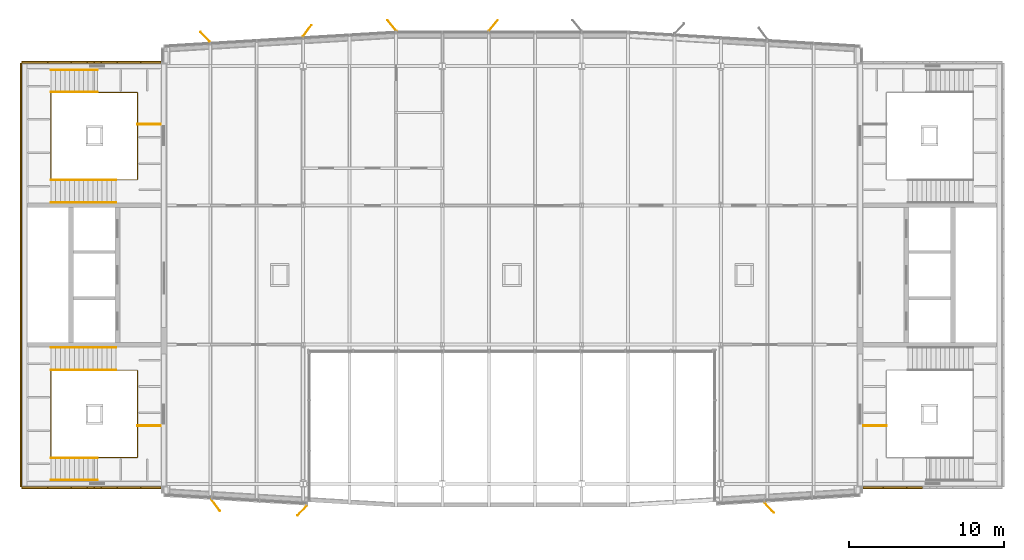
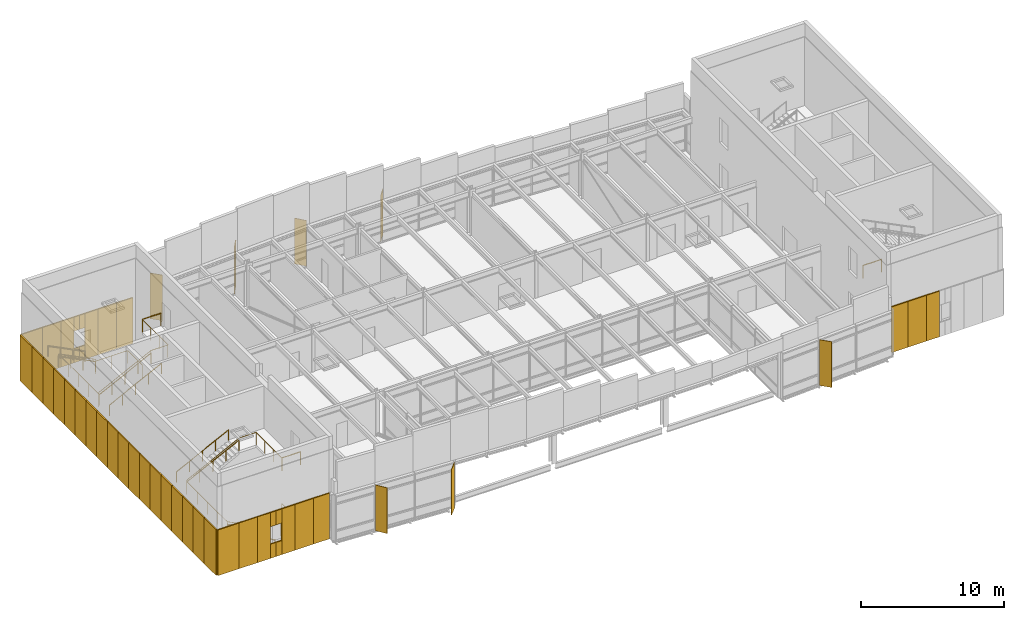
# One storey, part 22 of 23: 41 coverings, 13 railings, 7 shading devices.
"""IFC4 building model written with IfcOpenShell, lengths in metres."""

from ifc_helpers import new_model, si_unit, direction, frame, origin, origin_2d, place, context, subcontext, project, spatial, rectangle, circle, extrude, material, layer, layer_set, type_object, element, save


model = new_model("IFC4")

# Units and contexts
model_context = context("Model", 3, precision=1e-05, world=origin(), true_north=direction((0.0, 1.0)))
body_context = subcontext(model_context, "Body", "Model", "MODEL_VIEW")
ifc_project = project(units=[si_unit("LENGTHUNIT", "METRE"), si_unit("AREAUNIT", "SQUARE_METRE"), si_unit("VOLUMEUNIT", "CUBIC_METRE"), si_unit("PLANEANGLEUNIT", "RADIAN"), si_unit("MASSUNIT", "GRAM", prefix="KILO")], contexts=[model_context])

# Site, building, storey
site_placement = place(None, origin())
site = spatial("IfcSite", under=ifc_project, at=site_placement, CompositionType="ELEMENT")
building_placement = place(site_placement, origin())
building = spatial("IfcBuilding", under=site, at=building_placement, Name="Azimuth Sports and Learning Centre", CompositionType="ELEMENT")
storey_placement = place(building_placement, frame((0.0, 0.0, 75.300048828125)))
storey = spatial("IfcBuildingStorey", under=building, at=storey_placement, Name="L17", CompositionType="ELEMENT", Elevation=75.300048828125)

# Coverings
ifc_material_1 = material(Name="Cladding panel")
ifc_layer_1 = layer(ifc_material_1, 0.10009765625)
ifc_layer_set_1 = layer_set([ifc_layer_1], Name="Cladding panel")
covering_type = type_object("IfcCoveringType", Name="Cladding panel 100", PredefinedType="CLADDING", material=ifc_layer_set_1)
covering_1_placement = place(storey_placement, frame((54.64990234375, 89.75, 0.0), z_axis=(0.0, 0.0, 1.0), x_axis=(1.0, 0.0, 0.0)))
element("IfcCovering", 1, at=covering_1_placement, inside=storey, type_object=covering_type, Name="Cladding panel S-CORE W L17 1", PredefinedType="CLADDING", context=body_context, shape_type="SweptSolid", body=[
    extrude(rectangle(XDim=1.699951171875, YDim=0.10009765625, at=origin_2d()), origin(), (0.0, 0.0, 1.0), 3.89990234375),
])
covering_2_placement = place(storey_placement, frame((56.25, 89.75, 0.0), z_axis=(0.0, 0.0, 1.0), x_axis=(1.0, 0.0, 0.0)))
element("IfcCovering", 2, at=covering_2_placement, inside=storey, type_object=covering_type, Name="Cladding panel S-CORE W L17 2", PredefinedType="CLADDING", context=body_context, shape_type="SweptSolid", body=[
    extrude(rectangle(XDim=1.5, YDim=0.10009765625, at=origin_2d()), origin(), (0.0, 0.0, 1.0), 3.89990234375),
])
covering_3_placement = place(storey_placement, frame((57.52490234375, 89.75, 0.0), z_axis=(0.0, 0.0, 1.0), x_axis=(1.0, 0.0, 0.0)))
element("IfcCovering", 3, at=covering_3_placement, inside=storey, type_object=covering_type, Name="Cladding panel S-CORE W L17 3", PredefinedType="CLADDING", context=body_context, shape_type="SweptSolid", body=[
    extrude(rectangle(XDim=1.050048828125, YDim=0.10009765625, at=origin_2d()), origin(), (0.0, 0.0, 1.0), 3.89990234375),
])
for number, where, z_axis, x_axis, name in (
    (4, (58.27490234375, 89.75, 0.0), (0.0, 0.0, 1.0), (1.0, 0.0, 0.0), "Cladding panel S-CORE W L17 4"),
    (5, (58.27490234375, 89.75, 2.7001953125), (0.0, 0.0, 1.0), (1.0, 0.0, 0.0), "Cladding panel S-CORE W L17 5"),
):
    element("IfcCovering", number, at=place(storey_placement, frame(where, z_axis=z_axis, x_axis=x_axis)), inside=storey, type_object=covering_type, Name=name, PredefinedType="CLADDING", context=body_context, shape_type="SweptSolid", body=[
        extrude(rectangle(XDim=0.449951171875, YDim=0.10009765625, at=origin_2d()), origin(), (0.0, 0.0, 1.0), 1.199951171875),
    ])
covering_4_placement = place(storey_placement, frame((59.47509765625, 89.75, 0.0), z_axis=(0.0, 0.0, 1.0), x_axis=(1.0, 0.0, 0.0)))
element("IfcCovering", 6, at=covering_4_placement, inside=storey, type_object=covering_type, Name="Cladding panel S-CORE W L17 6", PredefinedType="CLADDING", context=body_context, shape_type="SweptSolid", body=[
    extrude(rectangle(XDim=1.050048828125, YDim=0.10009765625, at=origin_2d()), origin(), (0.0, 0.0, 1.0), 3.89990234375),
])
for number, where, z_axis, x_axis, name in (
    (7, (58.72509765625, 89.75, 0.0), (0.0, 0.0, 1.0), (1.0, 0.0, 0.0), "Cladding panel S-CORE W L17 7"),
    (8, (58.72509765625, 89.75, 2.7001953125), (0.0, 0.0, 1.0), (1.0, 0.0, 0.0), "Cladding panel S-CORE W L17 8"),
):
    element("IfcCovering", number, at=place(storey_placement, frame(where, z_axis=z_axis, x_axis=x_axis)), inside=storey, type_object=covering_type, Name=name, PredefinedType="CLADDING", context=body_context, shape_type="SweptSolid", body=[
        extrude(rectangle(XDim=0.449951171875, YDim=0.10009765625, at=origin_2d()), origin(), (0.0, 0.0, 1.0), 1.199951171875),
    ])
covering_5_placement = place(storey_placement, frame((60.75, 89.75, 0.0), z_axis=(0.0, 0.0, 1.0), x_axis=(1.0, 0.0, 0.0)))
element("IfcCovering", 9, at=covering_5_placement, inside=storey, type_object=covering_type, Name="Cladding panel S-CORE W L17 9", PredefinedType="CLADDING", context=body_context, shape_type="SweptSolid", body=[
    extrude(rectangle(XDim=1.5, YDim=0.10009765625, at=origin_2d()), origin(), (0.0, 0.0, 1.0), 3.89990234375),
])
for number, where, z_axis, x_axis, name in (
    (10, (62.159912109375, 89.75, 0.0), (0.0, 0.0, 1.0), (1.0, 0.0, 0.0), "Cladding panel S-CORE W L17 10"),
    (11, (108.840087890625, 89.75, 0.0), (0.0, 0.0, 1.0), (1.0, 0.0, 0.0), "Cladding panel S-CORE E L17 1"),
):
    element("IfcCovering", number, at=place(storey_placement, frame(where, z_axis=z_axis, x_axis=x_axis)), inside=storey, type_object=covering_type, Name=name, PredefinedType="CLADDING", context=body_context, shape_type="SweptSolid", body=[
        extrude(rectangle(XDim=1.320068359375, YDim=0.10009765625, at=origin_2d()), origin(), (0.0, 0.0, 1.0), 3.89990234375),
    ])
covering_6_placement = place(storey_placement, frame((110.25, 89.75, 0.0), z_axis=(0.0, 0.0, 1.0), x_axis=(1.0, 0.0, 0.0)))
element("IfcCovering", 12, at=covering_6_placement, inside=storey, type_object=covering_type, Name="Cladding panel S-CORE E L17 2", PredefinedType="CLADDING", context=body_context, shape_type="SweptSolid", body=[
    extrude(rectangle(XDim=1.5, YDim=0.10009765625, at=origin_2d()), origin(), (0.0, 0.0, 1.0), 3.89990234375),
])
covering_7_placement = place(storey_placement, frame((111.52490234375, 89.75, 0.0), z_axis=(0.0, 0.0, 1.0), x_axis=(1.0, 0.0, 0.0)))
element("IfcCovering", 13, at=covering_7_placement, inside=storey, type_object=covering_type, Name="Cladding panel S-CORE E L17 3", PredefinedType="CLADDING", context=body_context, shape_type="SweptSolid", body=[
    extrude(rectangle(XDim=1.050048828125, YDim=0.10009765625, at=origin_2d()), origin(), (0.0, 0.0, 1.0), 3.89990234375),
])
covering_8_placement = place(storey_placement, frame((62.159912109375, 117.25, 0.0), z_axis=(0.0, 0.0, 1.0), x_axis=(-1.0, 0.0, 0.0)))
element("IfcCovering", 14, at=covering_8_placement, inside=storey, type_object=covering_type, Name="Cladding panel N-CORE W L17 1", PredefinedType="CLADDING", context=body_context, shape_type="SweptSolid", body=[
    extrude(rectangle(XDim=1.320068359375, YDim=0.10009765625, at=origin_2d()), origin(), (0.0, 0.0, 1.0), 3.89990234375),
])
covering_9_placement = place(storey_placement, frame((60.75, 117.25, 0.0), z_axis=(0.0, 0.0, 1.0), x_axis=(-1.0, 0.0, 0.0)))
element("IfcCovering", 15, at=covering_9_placement, inside=storey, type_object=covering_type, Name="Cladding panel N-CORE W L17 2", PredefinedType="CLADDING", context=body_context, shape_type="SweptSolid", body=[
    extrude(rectangle(XDim=1.5, YDim=0.10009765625, at=origin_2d()), origin(), (0.0, 0.0, 1.0), 3.89990234375),
])
covering_10_placement = place(storey_placement, frame((59.47509765625, 117.25, 0.0), z_axis=(0.0, 0.0, 1.0), x_axis=(-1.0, 0.0, 0.0)))
element("IfcCovering", 16, at=covering_10_placement, inside=storey, type_object=covering_type, Name="Cladding panel N-CORE W L17 3", PredefinedType="CLADDING", context=body_context, shape_type="SweptSolid", body=[
    extrude(rectangle(XDim=1.050048828125, YDim=0.10009765625, at=origin_2d()), origin(), (0.0, 0.0, 1.0), 3.89990234375),
])
for number, where, z_axis, x_axis, name in (
    (17, (58.72509765625, 117.25, 0.0), (0.0, 0.0, 1.0), (-1.0, 0.0, 0.0), "Cladding panel N-CORE W L17 4"),
    (18, (58.72509765625, 117.25, 2.7001953125), (0.0, 0.0, 1.0), (-1.0, 0.0, 0.0), "Cladding panel N-CORE W L17 5"),
):
    element("IfcCovering", number, at=place(storey_placement, frame(where, z_axis=z_axis, x_axis=x_axis)), inside=storey, type_object=covering_type, Name=name, PredefinedType="CLADDING", context=body_context, shape_type="SweptSolid", body=[
        extrude(rectangle(XDim=0.449951171875, YDim=0.10009765625, at=origin_2d()), origin(), (0.0, 0.0, 1.0), 1.199951171875),
    ])
covering_11_placement = place(storey_placement, frame((57.52490234375, 117.25, 0.0), z_axis=(0.0, 0.0, 1.0), x_axis=(-1.0, 0.0, 0.0)))
element("IfcCovering", 19, at=covering_11_placement, inside=storey, type_object=covering_type, Name="Cladding panel N-CORE W L17 6", PredefinedType="CLADDING", context=body_context, shape_type="SweptSolid", body=[
    extrude(rectangle(XDim=1.050048828125, YDim=0.10009765625, at=origin_2d()), origin(), (0.0, 0.0, 1.0), 3.89990234375),
])
for number, where, z_axis, x_axis, name in (
    (20, (58.27490234375, 117.25, 0.0), (0.0, 0.0, 1.0), (-1.0, 0.0, 0.0), "Cladding panel N-CORE W L17 7"),
    (21, (58.27490234375, 117.25, 2.7001953125), (0.0, 0.0, 1.0), (-1.0, 0.0, 0.0), "Cladding panel N-CORE W L17 8"),
):
    element("IfcCovering", number, at=place(storey_placement, frame(where, z_axis=z_axis, x_axis=x_axis)), inside=storey, type_object=covering_type, Name=name, PredefinedType="CLADDING", context=body_context, shape_type="SweptSolid", body=[
        extrude(rectangle(XDim=0.449951171875, YDim=0.10009765625, at=origin_2d()), origin(), (0.0, 0.0, 1.0), 1.199951171875),
    ])
covering_12_placement = place(storey_placement, frame((56.25, 117.25, 0.0), z_axis=(0.0, 0.0, 1.0), x_axis=(-1.0, 0.0, 0.0)))
element("IfcCovering", 22, at=covering_12_placement, inside=storey, type_object=covering_type, Name="Cladding panel N-CORE W L17 9", PredefinedType="CLADDING", context=body_context, shape_type="SweptSolid", body=[
    extrude(rectangle(XDim=1.5, YDim=0.10009765625, at=origin_2d()), origin(), (0.0, 0.0, 1.0), 3.89990234375),
])
for number, where, z_axis, x_axis, name in (
    (23, (54.64990234375, 117.25, 0.0), (0.0, 0.0, 1.0), (-1.0, 0.0, 0.0), "Cladding panel N-CORE W L17 10"),
    (24, (53.75, 116.35009765625, 0.0), (0.0, 0.0, 1.0), (0.0, -1.0, 0.0), "Cladding panel W-CORE W L17 1"),
):
    element("IfcCovering", number, at=place(storey_placement, frame(where, z_axis=z_axis, x_axis=x_axis)), inside=storey, type_object=covering_type, Name=name, PredefinedType="CLADDING", context=body_context, shape_type="SweptSolid", body=[
        extrude(rectangle(XDim=1.699951171875, YDim=0.10009765625, at=origin_2d()), origin(), (0.0, 0.0, 1.0), 3.89990234375),
    ])
for number, where, z_axis, x_axis, name in (
    (25, (53.75, 114.75, 0.0), (0.0, 0.0, 1.0), (0.0, -1.0, 0.0), "Cladding panel W-CORE W L17 2"),
    (26, (53.75, 113.25, 0.0), (0.0, 0.0, 1.0), (0.0, -1.0, 0.0), "Cladding panel W-CORE W L17 3"),
    (27, (53.75, 111.75, 0.0), (0.0, 0.0, 1.0), (0.0, -1.0, 0.0), "Cladding panel W-CORE W L17 4"),
    (28, (53.75, 110.25, 0.0), (0.0, 0.0, 1.0), (0.0, -1.0, 0.0), "Cladding panel W-CORE W L17 5"),
    (29, (53.75, 108.75, 0.0), (0.0, 0.0, 1.0), (0.0, -1.0, 0.0), "Cladding panel W-CORE W L17 6"),
    (30, (53.75, 107.25, 0.0), (0.0, 0.0, 1.0), (0.0, -1.0, 0.0), "Cladding panel W-CORE W L17 7"),
    (31, (53.75, 105.75, 0.0), (0.0, 0.0, 1.0), (0.0, -1.0, 0.0), "Cladding panel W-CORE W L17 8"),
    (32, (53.75, 104.25, 0.0), (0.0, 0.0, 1.0), (0.0, -1.0, 0.0), "Cladding panel W-CORE W L17 9"),
    (33, (53.75, 102.75, 0.0), (0.0, 0.0, 1.0), (0.0, -1.0, 0.0), "Cladding panel W-CORE W L17 10"),
    (34, (53.75, 101.25, 0.0), (0.0, 0.0, 1.0), (0.0, -1.0, 0.0), "Cladding panel W-CORE W L17 11"),
    (35, (53.75, 99.75, 0.0), (0.0, 0.0, 1.0), (0.0, -1.0, 0.0), "Cladding panel W-CORE W L17 12"),
    (36, (53.75, 98.25, 0.0), (0.0, 0.0, 1.0), (0.0, -1.0, 0.0), "Cladding panel W-CORE W L17 13"),
    (37, (53.75, 96.75, 0.0), (0.0, 0.0, 1.0), (0.0, -1.0, 0.0), "Cladding panel W-CORE W L17 14"),
    (38, (53.75, 95.25, 0.0), (0.0, 0.0, 1.0), (0.0, -1.0, 0.0), "Cladding panel W-CORE W L17 15"),
    (39, (53.75, 93.75, 0.0), (0.0, 0.0, 1.0), (0.0, -1.0, 0.0), "Cladding panel W-CORE W L17 16"),
    (40, (53.75, 92.25, 0.0), (0.0, 0.0, 1.0), (0.0, -1.0, 0.0), "Cladding panel W-CORE W L17 17"),
):
    element("IfcCovering", number, at=place(storey_placement, frame(where, z_axis=z_axis, x_axis=x_axis)), inside=storey, type_object=covering_type, Name=name, PredefinedType="CLADDING", context=body_context, shape_type="SweptSolid", body=[
        extrude(rectangle(XDim=1.5, YDim=0.10009765625, at=origin_2d()), origin(), (0.0, 0.0, 1.0), 3.89990234375),
    ])
covering_13_placement = place(storey_placement, frame((53.75, 90.64990234375, 0.0), z_axis=(0.0, 0.0, 1.0), x_axis=(0.0, -1.0, 0.0)))
element("IfcCovering", 41, at=covering_13_placement, inside=storey, type_object=covering_type, Name="Cladding panel W-CORE W L17 18", PredefinedType="CLADDING", context=body_context, shape_type="SweptSolid", body=[
    extrude(rectangle(XDim=1.699951171875, YDim=0.10009765625, at=origin_2d()), origin(), (0.0, 0.0, 1.0), 3.89990234375),
])

# Shading devices
ifc_material_2 = material(Name="Aluminium", Category="aluminium")
ifc_layer_2 = layer(ifc_material_2, 0.0400390625)
ifc_layer_set_2 = layer_set([ifc_layer_2], Name="Aluminium")
shading_device_type = type_object("IfcShadingDeviceType", Name="Shading fin 900", PredefinedType="JALOUSIE", material=ifc_layer_set_2)
for number, where, z_axis, x_axis, name in (
    (42, (66.353759765625, 88.613037109375, 0.0), (0.0, 0.0, 1.0), (0.595753790608, -0.803167118958, 0.0), "Shading fin F17-001"),
    (43, (71.94140625, 88.27783203125, 0.0), (0.0, 0.0, 1.0), (-0.687513645637, -0.726171458447, 0.0), "Shading fin F17-002"),
    (44, (102.123779296875, 88.461669921875, 0.0), (0.0, 0.0, 1.0), (0.687513645637, -0.726171458447, 0.0), "Shading fin F17-003"),
    (45, (84.289306640625, 119.624755859375, 0.0), (0.0, 0.0, 1.0), (0.642787609687, 0.766044443119, 0.0), "Shading fin F17-007"),
    (46, (77.74072265625, 119.624755859375, 0.0), (0.0, 0.0, 1.0), (-0.642787609687, 0.766044443119, 0.0), "Shading fin F17-008"),
    (47, (72.25732421875, 119.281005859375, 0.0), (0.0, 0.0, 1.0), (0.595753790608, 0.803167118958, 0.0), "Shading fin F17-009"),
    (48, (65.679931640625, 118.886474609375, 0.0), (0.0, 0.0, 1.0), (-0.687513645637, 0.726171458447, 0.0), "Shading fin F17-010"),
):
    element("IfcShadingDevice", number, at=place(storey_placement, frame(where, z_axis=z_axis, x_axis=x_axis)), inside=storey, type_object=shading_device_type, Name=name, PredefinedType="JALOUSIE", context=body_context, shape_type="SweptSolid", body=[
        extrude(rectangle(XDim=0.89990234375, YDim=0.0400390625, at=origin_2d()), origin(), (0.0, 0.0, 1.0), 3.89990234375),
    ])

# Railings
ifc_material_3 = material(Name="Stainless steel", Category="steel")
railing_type_1 = type_object("IfcRailingType", Name="Stair guard 1100", PredefinedType="GUARDRAIL", material=ifc_material_3)
railing_1_placement = place(storey_placement, frame((61.2900390625, 93.75, 0.0)))
element("IfcRailing", 49, at=railing_1_placement, inside=storey, type_object=railing_type_1, Name="Guard W1 L17 well", PredefinedType="GUARDRAIL", context=body_context, shape_type="SweptSolid", body=[
    extrude(circle(Radius=0.02392578125, at=origin_2d()), frame((0.0, 0.0, 1.076171875), z_axis=(0.0, -1.0, 0.0), x_axis=(1.0, 0.0, 0.0)), (0.0, 0.0, 1.0), 2.0400390625),
    extrude(circle(Radius=0.02392578125, at=origin_2d()), frame((0.0, -2.0400390625, 1.076171875), z_axis=(-1.0, 0.0, 0.0), x_axis=(0.0, -1.0, 0.0)), (0.0, 0.0, 1.0), 2.580078125),
    extrude(circle(Radius=0.02392578125, at=origin_2d()), frame((-2.580078125, -2.0400390625, 1.076171875), z_axis=(0.0, 0.0, 1.0), x_axis=(1.0, 0.0, 0.0)), (0.0, 0.0, 1.0), 0.14990234375),
    extrude(circle(Radius=0.02392578125, at=origin_2d()), frame((-2.580078125, -2.0400390625, 1.22607421875), z_axis=(-0.894427191, 0.0, 0.4472135955), x_axis=(0.0, -1.0, 0.0)), (0.0, 0.0, 1.0), 3.35400390625),
    extrude(circle(Radius=0.02392578125, at=origin_2d()), frame((-5.580078125, -2.0400390625, 2.72607421875), z_axis=(0.0, 1.0, 0.0), x_axis=(-1.0, 0.0, 0.0)), (0.0, 0.0, 1.0), 5.630126953125),
    extrude(circle(Radius=0.02392578125, at=origin_2d()), frame((-5.580078125, 3.590087890625, 2.72607421875), z_axis=(0.0, 0.0, 1.0), x_axis=(1.0, 0.0, 0.0)), (0.0, 0.0, 1.0), 0.150146484375),
    extrude(circle(Radius=0.02392578125, at=origin_2d()), frame((-5.580078125, 3.590087890625, 2.8759765625), z_axis=(0.894437589381, 0.0, 0.447192798132), x_axis=(0.0, 1.0, 0.0)), (0.0, 0.0, 1.0), 4.695556640625),
    extrude(circle(Radius=0.02392578125, at=origin_2d()), frame((-1.380126953125, 3.590087890625, 4.97607421875), z_axis=(1.0, 0.0, 0.0), x_axis=(0.0, 1.0, 0.0)), (0.0, 0.0, 1.0), 1.380126953125),
    extrude(circle(Radius=0.02392578125, at=origin_2d()), frame((0.0, 3.590087890625, 4.97607421875), z_axis=(0.0, -1.0, 0.0), x_axis=(1.0, 0.0, 0.0)), (0.0, 0.0, 1.0), 3.590087890625),
    extrude(circle(Radius=0.01611328125, at=origin_2d()), origin(), (0.0, 0.0, 1.0), 1.052001953125),
    extrude(circle(Radius=0.01611328125, at=origin_2d()), frame((0.0, -1.02001953125, 0.0)), (0.0, 0.0, 1.0), 1.052001953125),
    extrude(circle(Radius=0.01611328125, at=origin_2d()), frame((0.0, -2.0400390625, 0.0)), (0.0, 0.0, 1.0), 1.052001953125),
    extrude(circle(Radius=0.01611328125, at=origin_2d()), frame((-1.2900390625, -2.0400390625, 0.0)), (0.0, 0.0, 1.0), 1.052001953125),
    extrude(circle(Radius=0.01611328125, at=origin_2d()), frame((-2.580078125, -2.0400390625, 0.0)), (0.0, 0.0, 1.0), 1.052001953125),
    extrude(circle(Radius=0.01611328125, at=origin_2d()), frame((-2.580078125, -2.0400390625, 0.14990234375)), (0.0, 0.0, 1.0), 1.052001953125),
    extrude(circle(Radius=0.01611328125, at=origin_2d()), frame((-3.580078125, -2.0400390625, 0.64990234375)), (0.0, 0.0, 1.0), 1.052001953125),
    extrude(circle(Radius=0.01611328125, at=origin_2d()), frame((-4.580078125, -2.0400390625, 1.14990234375)), (0.0, 0.0, 1.0), 1.052001953125),
    extrude(circle(Radius=0.01611328125, at=origin_2d()), frame((-5.580078125, -2.0400390625, 1.64990234375)), (0.0, 0.0, 1.0), 1.052001953125),
    extrude(circle(Radius=0.01611328125, at=origin_2d()), frame((-5.580078125, -0.632568359375, 1.64990234375)), (0.0, 0.0, 1.0), 1.052001953125),
    extrude(circle(Radius=0.01611328125, at=origin_2d()), frame((-5.580078125, 0.77490234375, 1.64990234375)), (0.0, 0.0, 1.0), 1.052001953125),
    extrude(circle(Radius=0.01611328125, at=origin_2d()), frame((-5.580078125, 2.1826171875, 1.64990234375)), (0.0, 0.0, 1.0), 1.052001953125),
    extrude(circle(Radius=0.01611328125, at=origin_2d()), frame((-5.580078125, 3.590087890625, 1.64990234375)), (0.0, 0.0, 1.0), 1.052001953125),
    extrude(circle(Radius=0.01611328125, at=origin_2d()), frame((-5.580078125, 3.590087890625, 1.800048828125)), (0.0, 0.0, 1.0), 1.052001953125),
    extrude(circle(Radius=0.01611328125, at=origin_2d()), frame((-4.530029296875, 3.590087890625, 2.324951171875)), (0.0, 0.0, 1.0), 1.052001953125),
    extrude(circle(Radius=0.01611328125, at=origin_2d()), frame((-3.47998046875, 3.590087890625, 2.85009765625)), (0.0, 0.0, 1.0), 1.052001953125),
    extrude(circle(Radius=0.01611328125, at=origin_2d()), frame((-2.43017578125, 3.590087890625, 3.375)), (0.0, 0.0, 1.0), 1.052001953125),
    extrude(circle(Radius=0.01611328125, at=origin_2d()), frame((-1.380126953125, 3.590087890625, 3.89990234375)), (0.0, 0.0, 1.0), 1.052001953125),
    extrude(circle(Radius=0.01611328125, at=origin_2d()), frame((0.0, 3.590087890625, 3.89990234375)), (0.0, 0.0, 1.0), 1.052001953125),
    extrude(circle(Radius=0.01611328125, at=origin_2d()), frame((0.0, 2.393310546875, 3.89990234375)), (0.0, 0.0, 1.0), 1.052001953125),
    extrude(circle(Radius=0.01611328125, at=origin_2d()), frame((0.0, 1.19677734375, 3.89990234375)), (0.0, 0.0, 1.0), 1.052001953125),
    extrude(circle(Radius=0.01611328125, at=origin_2d()), frame((0.0, 0.0, 3.89990234375)), (0.0, 0.0, 1.0), 1.052001953125),
])
railing_2_placement = place(storey_placement, frame((62.7900390625, 93.75, 3.89990234375)))
element("IfcRailing", 50, at=railing_2_placement, inside=storey, type_object=railing_type_1, Name="Guard W1 L17 top landing end", PredefinedType="GUARDRAIL", context=body_context, shape_type="SweptSolid", body=[
    extrude(circle(Radius=0.02392578125, at=origin_2d()), frame((0.0, 0.0, 1.076171875), z_axis=(-1.0, 0.0, 0.0), x_axis=(0.0, -1.0, 0.0)), (0.0, 0.0, 1.0), 1.5),
    extrude(circle(Radius=0.01611328125, at=origin_2d()), origin(), (0.0, 0.0, 1.0), 1.052001953125),
    extrude(circle(Radius=0.01611328125, at=origin_2d()), frame((-1.5, 0.0, 0.0)), (0.0, 0.0, 1.0), 1.052001953125),
])
railing_3_placement = place(storey_placement, frame((61.2900390625, 113.25, 0.0)))
element("IfcRailing", 51, at=railing_3_placement, inside=storey, type_object=railing_type_1, Name="Guard W2 L17 well", PredefinedType="GUARDRAIL", context=body_context, shape_type="SweptSolid", body=[
    extrude(circle(Radius=0.02392578125, at=origin_2d()), frame((0.0, 0.0, 1.076171875), z_axis=(0.0, 1.0, 0.0), x_axis=(-1.0, 0.0, 0.0)), (0.0, 0.0, 1.0), 2.0400390625),
    extrude(circle(Radius=0.02392578125, at=origin_2d()), frame((0.0, 2.0400390625, 1.076171875), z_axis=(-1.0, 0.0, 0.0), x_axis=(0.0, -1.0, 0.0)), (0.0, 0.0, 1.0), 2.580078125),
    extrude(circle(Radius=0.02392578125, at=origin_2d()), frame((-2.580078125, 2.0400390625, 1.076171875), z_axis=(0.0, 0.0, 1.0), x_axis=(1.0, 0.0, 0.0)), (0.0, 0.0, 1.0), 0.14990234375),
    extrude(circle(Radius=0.02392578125, at=origin_2d()), frame((-2.580078125, 2.0400390625, 1.22607421875), z_axis=(-0.894427191, 0.0, 0.4472135955), x_axis=(0.0, -1.0, 0.0)), (0.0, 0.0, 1.0), 3.35400390625),
    extrude(circle(Radius=0.02392578125, at=origin_2d()), frame((-5.580078125, 2.0400390625, 2.72607421875), z_axis=(0.0, -1.0, 0.0), x_axis=(1.0, 0.0, 0.0)), (0.0, 0.0, 1.0), 5.630126953125),
    extrude(circle(Radius=0.02392578125, at=origin_2d()), frame((-5.580078125, -3.590087890625, 2.72607421875), z_axis=(0.0, 0.0, 1.0), x_axis=(1.0, 0.0, 0.0)), (0.0, 0.0, 1.0), 0.150146484375),
    extrude(circle(Radius=0.02392578125, at=origin_2d()), frame((-5.580078125, -3.590087890625, 2.8759765625), z_axis=(0.894437589381, 0.0, 0.447192798132), x_axis=(0.0, 1.0, 0.0)), (0.0, 0.0, 1.0), 4.695556640625),
    extrude(circle(Radius=0.02392578125, at=origin_2d()), frame((-1.380126953125, -3.590087890625, 4.97607421875), z_axis=(1.0, 0.0, 0.0), x_axis=(0.0, 1.0, 0.0)), (0.0, 0.0, 1.0), 1.380126953125),
    extrude(circle(Radius=0.02392578125, at=origin_2d()), frame((0.0, -3.590087890625, 4.97607421875), z_axis=(0.0, 1.0, 0.0), x_axis=(-1.0, 0.0, 0.0)), (0.0, 0.0, 1.0), 3.590087890625),
    extrude(circle(Radius=0.01611328125, at=origin_2d()), origin(), (0.0, 0.0, 1.0), 1.052001953125),
    extrude(circle(Radius=0.01611328125, at=origin_2d()), frame((0.0, 1.02001953125, 0.0)), (0.0, 0.0, 1.0), 1.052001953125),
    extrude(circle(Radius=0.01611328125, at=origin_2d()), frame((0.0, 2.0400390625, 0.0)), (0.0, 0.0, 1.0), 1.052001953125),
    extrude(circle(Radius=0.01611328125, at=origin_2d()), frame((-1.2900390625, 2.0400390625, 0.0)), (0.0, 0.0, 1.0), 1.052001953125),
    extrude(circle(Radius=0.01611328125, at=origin_2d()), frame((-2.580078125, 2.0400390625, 0.0)), (0.0, 0.0, 1.0), 1.052001953125),
    extrude(circle(Radius=0.01611328125, at=origin_2d()), frame((-2.580078125, 2.0400390625, 0.14990234375)), (0.0, 0.0, 1.0), 1.052001953125),
    extrude(circle(Radius=0.01611328125, at=origin_2d()), frame((-3.580078125, 2.0400390625, 0.64990234375)), (0.0, 0.0, 1.0), 1.052001953125),
    extrude(circle(Radius=0.01611328125, at=origin_2d()), frame((-4.580078125, 2.0400390625, 1.14990234375)), (0.0, 0.0, 1.0), 1.052001953125),
    extrude(circle(Radius=0.01611328125, at=origin_2d()), frame((-5.580078125, 2.0400390625, 1.64990234375)), (0.0, 0.0, 1.0), 1.052001953125),
    extrude(circle(Radius=0.01611328125, at=origin_2d()), frame((-5.580078125, 0.632568359375, 1.64990234375)), (0.0, 0.0, 1.0), 1.052001953125),
    extrude(circle(Radius=0.01611328125, at=origin_2d()), frame((-5.580078125, -0.77490234375, 1.64990234375)), (0.0, 0.0, 1.0), 1.052001953125),
    extrude(circle(Radius=0.01611328125, at=origin_2d()), frame((-5.580078125, -2.1826171875, 1.64990234375)), (0.0, 0.0, 1.0), 1.052001953125),
    extrude(circle(Radius=0.01611328125, at=origin_2d()), frame((-5.580078125, -3.590087890625, 1.64990234375)), (0.0, 0.0, 1.0), 1.052001953125),
    extrude(circle(Radius=0.01611328125, at=origin_2d()), frame((-5.580078125, -3.590087890625, 1.800048828125)), (0.0, 0.0, 1.0), 1.052001953125),
    extrude(circle(Radius=0.01611328125, at=origin_2d()), frame((-4.530029296875, -3.590087890625, 2.324951171875)), (0.0, 0.0, 1.0), 1.052001953125),
    extrude(circle(Radius=0.01611328125, at=origin_2d()), frame((-3.47998046875, -3.590087890625, 2.85009765625)), (0.0, 0.0, 1.0), 1.052001953125),
    extrude(circle(Radius=0.01611328125, at=origin_2d()), frame((-2.43017578125, -3.590087890625, 3.375)), (0.0, 0.0, 1.0), 1.052001953125),
    extrude(circle(Radius=0.01611328125, at=origin_2d()), frame((-1.380126953125, -3.590087890625, 3.89990234375)), (0.0, 0.0, 1.0), 1.052001953125),
    extrude(circle(Radius=0.01611328125, at=origin_2d()), frame((0.0, -3.590087890625, 3.89990234375)), (0.0, 0.0, 1.0), 1.052001953125),
    extrude(circle(Radius=0.01611328125, at=origin_2d()), frame((0.0, -2.393310546875, 3.89990234375)), (0.0, 0.0, 1.0), 1.052001953125),
    extrude(circle(Radius=0.01611328125, at=origin_2d()), frame((0.0, -1.19677734375, 3.89990234375)), (0.0, 0.0, 1.0), 1.052001953125),
    extrude(circle(Radius=0.01611328125, at=origin_2d()), frame((0.0, 0.0, 3.89990234375)), (0.0, 0.0, 1.0), 1.052001953125),
])
railing_4_placement = place(storey_placement, frame((61.2900390625, 113.25, 3.89990234375)))
element("IfcRailing", 52, at=railing_4_placement, inside=storey, type_object=railing_type_1, Name="Guard W2 L17 top landing end", PredefinedType="GUARDRAIL", context=body_context, shape_type="SweptSolid", body=[
    extrude(circle(Radius=0.02392578125, at=origin_2d()), frame((0.0, 0.0, 1.076171875), z_axis=(1.0, 0.0, 0.0), x_axis=(0.0, 1.0, 0.0)), (0.0, 0.0, 1.0), 1.5),
    extrude(circle(Radius=0.01611328125, at=origin_2d()), origin(), (0.0, 0.0, 1.0), 1.052001953125),
    extrude(circle(Radius=0.01611328125, at=origin_2d()), frame((1.5, 0.0, 0.0)), (0.0, 0.0, 1.0), 1.052001953125),
])
railing_5_placement = place(storey_placement, frame((109.7099609375, 93.75, 3.89990234375)))
element("IfcRailing", 53, at=railing_5_placement, inside=storey, type_object=railing_type_1, Name="Guard E1 L17 top landing end", PredefinedType="GUARDRAIL", context=body_context, shape_type="SweptSolid", body=[
    extrude(circle(Radius=0.02392578125, at=origin_2d()), frame((0.0, 0.0, 1.076171875), z_axis=(-1.0, 0.0, 0.0), x_axis=(0.0, -1.0, 0.0)), (0.0, 0.0, 1.0), 1.5),
    extrude(circle(Radius=0.01611328125, at=origin_2d()), origin(), (0.0, 0.0, 1.0), 1.052001953125),
    extrude(circle(Radius=0.01611328125, at=origin_2d()), frame((-1.5, 0.0, 0.0)), (0.0, 0.0, 1.0), 1.052001953125),
])
ifc_material_4 = material(Name="Stainless steel", Category="steel")
railing_type_2 = type_object("IfcRailingType", Name="Stair handrail 42", PredefinedType="HANDRAIL", material=ifc_material_4)
for number, where, name in (
    (54, (58.7099609375, 91.679931640625, 0.14990234375), "Handrail W1 L17 flight 1 inner"),
    (55, (58.7099609375, 90.239990234375, 0.14990234375), "Handrail W1 L17 flight 1 outer"),
):
    element("IfcRailing", number, at=place(storey_placement, frame(where)), inside=storey, type_object=railing_type_2, Name=name, PredefinedType="HANDRAIL", context=body_context, shape_type="SweptSolid", body=[
        extrude(circle(Radius=0.02099609375, at=origin_2d()), frame((0.0, 0.0, 0.87890625), z_axis=(-0.894427191, 0.0, 0.4472135955), x_axis=(0.0, -1.0, 0.0)), (0.0, 0.0, 1.0), 3.35400390625),
        extrude(circle(Radius=0.01611328125, at=origin_2d()), origin(), (0.0, 0.0, 1.0), 0.85791015625),
        extrude(circle(Radius=0.01611328125, at=origin_2d()), frame((-1.0, 0.0, 0.5)), (0.0, 0.0, 1.0), 0.85791015625),
        extrude(circle(Radius=0.01611328125, at=origin_2d()), frame((-2.0, 0.0, 1.0)), (0.0, 0.0, 1.0), 0.85791015625),
        extrude(circle(Radius=0.01611328125, at=origin_2d()), frame((-3.0, 0.0, 1.5)), (0.0, 0.0, 1.0), 0.85791015625),
    ])
for number, where, name in (
    (56, (55.7099609375, 97.3701171875, 1.800048828125), "Handrail W1 L17 flight 2 inner"),
    (57, (55.7099609375, 98.81005859375, 1.800048828125), "Handrail W1 L17 flight 2 outer"),
):
    element("IfcRailing", number, at=place(storey_placement, frame(where)), inside=storey, type_object=railing_type_2, Name=name, PredefinedType="HANDRAIL", context=body_context, shape_type="SweptSolid", body=[
        extrude(circle(Radius=0.02099609375, at=origin_2d()), frame((0.0, 0.0, 0.87890625), z_axis=(0.894437589381, 0.0, 0.447192798132), x_axis=(0.0, 1.0, 0.0)), (0.0, 0.0, 1.0), 4.695556640625),
        extrude(circle(Radius=0.01611328125, at=origin_2d()), origin(), (0.0, 0.0, 1.0), 0.85791015625),
        extrude(circle(Radius=0.01611328125, at=origin_2d()), frame((1.050048828125, 0.0, 0.52490234375)), (0.0, 0.0, 1.0), 0.85791015625),
        extrude(circle(Radius=0.01611328125, at=origin_2d()), frame((2.10009765625, 0.0, 1.0498046875)), (0.0, 0.0, 1.0), 0.85791015625),
        extrude(circle(Radius=0.01611328125, at=origin_2d()), frame((3.14990234375, 0.0, 1.574951171875)), (0.0, 0.0, 1.0), 0.85791015625),
        extrude(circle(Radius=0.01611328125, at=origin_2d()), frame((4.199951171875, 0.0, 2.099853515625)), (0.0, 0.0, 1.0), 0.85791015625),
    ])
for number, where, name in (
    (58, (58.7099609375, 115.320068359375, 0.14990234375), "Handrail W2 L17 flight 1 inner"),
    (59, (58.7099609375, 116.760009765625, 0.14990234375), "Handrail W2 L17 flight 1 outer"),
):
    element("IfcRailing", number, at=place(storey_placement, frame(where)), inside=storey, type_object=railing_type_2, Name=name, PredefinedType="HANDRAIL", context=body_context, shape_type="SweptSolid", body=[
        extrude(circle(Radius=0.02099609375, at=origin_2d()), frame((0.0, 0.0, 0.87890625), z_axis=(-0.894427191, 0.0, 0.4472135955), x_axis=(0.0, -1.0, 0.0)), (0.0, 0.0, 1.0), 3.35400390625),
        extrude(circle(Radius=0.01611328125, at=origin_2d()), origin(), (0.0, 0.0, 1.0), 0.85791015625),
        extrude(circle(Radius=0.01611328125, at=origin_2d()), frame((-1.0, 0.0, 0.5)), (0.0, 0.0, 1.0), 0.85791015625),
        extrude(circle(Radius=0.01611328125, at=origin_2d()), frame((-2.0, 0.0, 1.0)), (0.0, 0.0, 1.0), 0.85791015625),
        extrude(circle(Radius=0.01611328125, at=origin_2d()), frame((-3.0, 0.0, 1.5)), (0.0, 0.0, 1.0), 0.85791015625),
    ])
for number, where, name in (
    (60, (55.7099609375, 109.6298828125, 1.800048828125), "Handrail W2 L17 flight 2 inner"),
    (61, (55.7099609375, 108.18994140625, 1.800048828125), "Handrail W2 L17 flight 2 outer"),
):
    element("IfcRailing", number, at=place(storey_placement, frame(where)), inside=storey, type_object=railing_type_2, Name=name, PredefinedType="HANDRAIL", context=body_context, shape_type="SweptSolid", body=[
        extrude(circle(Radius=0.02099609375, at=origin_2d()), frame((0.0, 0.0, 0.87890625), z_axis=(0.894437589381, 0.0, 0.447192798132), x_axis=(0.0, 1.0, 0.0)), (0.0, 0.0, 1.0), 4.695556640625),
        extrude(circle(Radius=0.01611328125, at=origin_2d()), origin(), (0.0, 0.0, 1.0), 0.85791015625),
        extrude(circle(Radius=0.01611328125, at=origin_2d()), frame((1.050048828125, 0.0, 0.52490234375)), (0.0, 0.0, 1.0), 0.85791015625),
        extrude(circle(Radius=0.01611328125, at=origin_2d()), frame((2.10009765625, 0.0, 1.0498046875)), (0.0, 0.0, 1.0), 0.85791015625),
        extrude(circle(Radius=0.01611328125, at=origin_2d()), frame((3.14990234375, 0.0, 1.574951171875)), (0.0, 0.0, 1.0), 0.85791015625),
        extrude(circle(Radius=0.01611328125, at=origin_2d()), frame((4.199951171875, 0.0, 2.099853515625)), (0.0, 0.0, 1.0), 0.85791015625),
    ])

save(model, "model.ifc")
